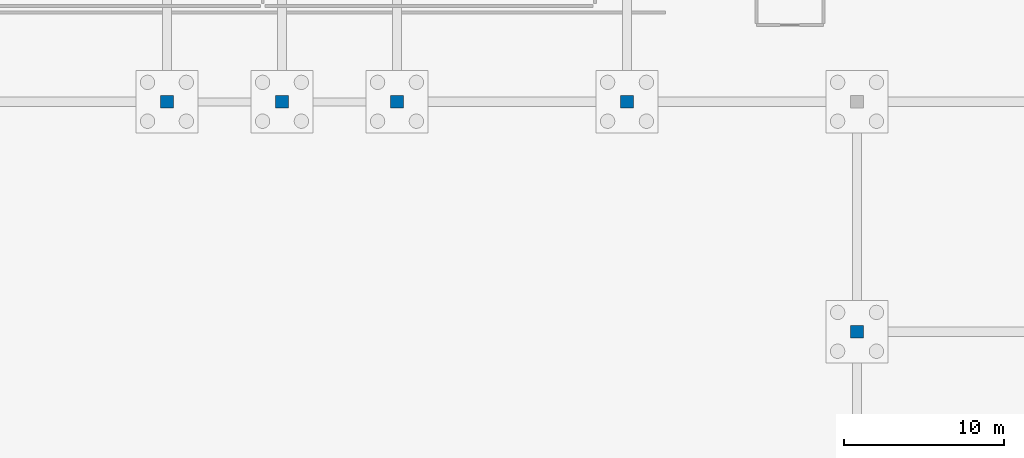
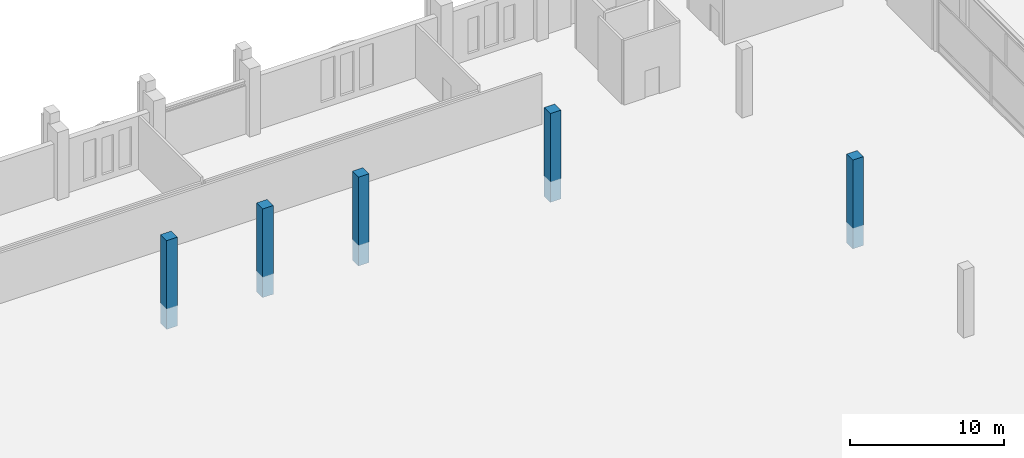
# One storey, part 16 of 192: 5 columns.
"""IFC4 building model written with IfcOpenShell, lengths in metres."""

from ifc_helpers import new_model, si_unit, direction, frame, origin, origin_2d, place, context, subcontext, project, spatial, rectangle, extrude, material, material_profile, profile_set, type_object, element, save


model = new_model("IFC4")

# Units and contexts
model_context = context("Model", 3, precision=1e-05, world=origin(), true_north=direction((0.0, 1.0)))
body_context = subcontext(model_context, "Body", "Model", "MODEL_VIEW")
ifc_project = project(units=[si_unit("LENGTHUNIT", "METRE"), si_unit("AREAUNIT", "SQUARE_METRE"), si_unit("VOLUMEUNIT", "CUBIC_METRE"), si_unit("PLANEANGLEUNIT", "RADIAN"), si_unit("MASSUNIT", "GRAM", prefix="KILO")], contexts=[model_context])

# Site, building, storey
site_placement = place(None, origin())
site = spatial("IfcSite", under=ifc_project, at=site_placement, CompositionType="ELEMENT")
building_placement = place(site_placement, origin())
building = spatial("IfcBuilding", under=site, at=building_placement, Name="Cendralis Lancet Convention Centre", CompositionType="ELEMENT")
storey_placement = place(building_placement, origin())
storey = spatial("IfcBuildingStorey", under=building, at=storey_placement, Name="L00", CompositionType="ELEMENT", Elevation=0.0)

# Columns
ifc_material = material(Name="Concrete G40 (C40/50)", Category="concrete")
ifc_material_profile = material_profile(ifc_material, rectangle(XDim=0.800048828125, YDim=0.800048828125, at=origin_2d()), Name="RC 800x800")
ifc_profile_set = profile_set([ifc_material_profile], Name="Concrete G40 (C40/50)")
column_type = type_object("IfcColumnType", Name="STR-COL-C05-INT", PredefinedType="COLUMN", material=ifc_profile_set)
for number, where, z_axis, x_axis, name in (
    (1, (108.0, 108.0, -1.64990234375), (0.0, 0.0, 1.0), (1.0, 0.0, 0.0), "L00 Column C05 at 108.0,108.0"),
    (2, (64.800048828125, 122.39990234375, -1.64990234375), (0.0, 0.0, 1.0), (1.0, 0.0, 0.0), "L00 Column C05 at 64.8,122.4"),
    (3, (72.0, 122.39990234375, -1.64990234375), (0.0, 0.0, 1.0), (1.0, 0.0, 0.0), "L00 Column C05 at 72.0,122.4"),
    (4, (79.199951171875, 122.39990234375, -1.64990234375), (0.0, 0.0, 1.0), (1.0, 0.0, 0.0), "L00 Column C05 at 79.2,122.4"),
    (5, (93.60009765625, 122.39990234375, -1.64990234375), (0.0, 0.0, 1.0), (1.0, 0.0, 0.0), "L00 Column C05 at 93.6,122.4"),
):
    element("IfcColumn", number, at=place(storey_placement, frame(where, z_axis=z_axis, x_axis=x_axis)), inside=storey, type_object=column_type, Name=name, PredefinedType="COLUMN", context=body_context, shape_type="SweptSolid", body=[
        extrude(rectangle(XDim=0.800048828125, YDim=0.800048828125, at=origin_2d()), origin(), (0.0, 0.0, 1.0), 7.0498046875),
    ])

save(model, "model.ifc")
